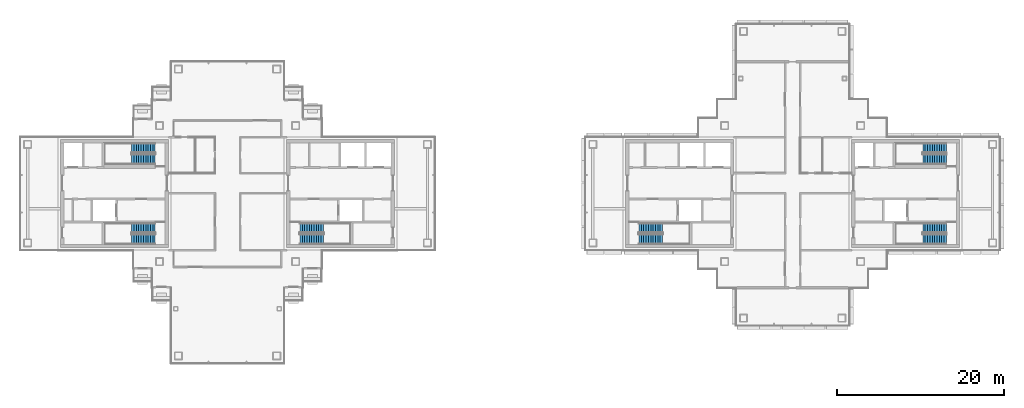
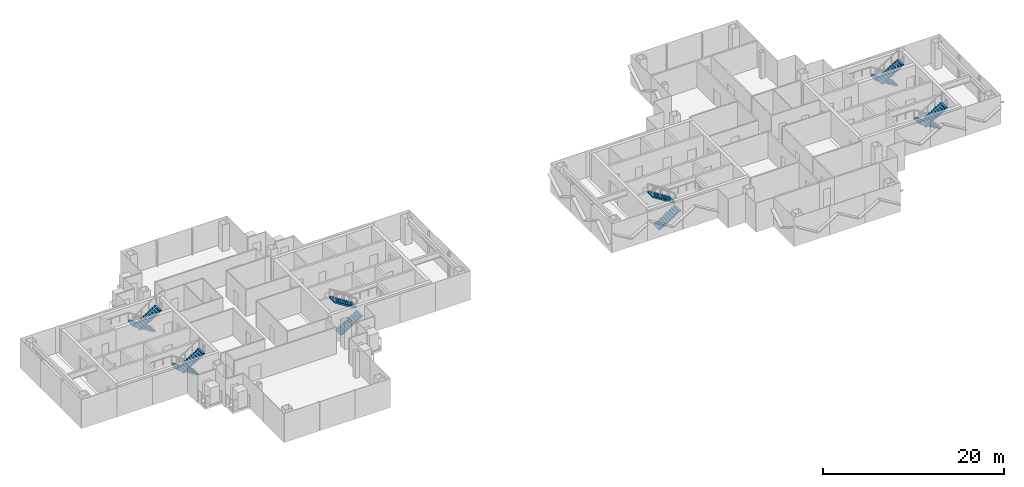
# One storey, part 13 of 17: 12 stair flights, 6 elements without a shape of their own.
"""IFC4 building model written with IfcOpenShell, lengths in metres."""

from ifc_helpers import new_model, si_unit, direction, frame, origin, place, context, subcontext, project, spatial, polyline, outline, extrude, material, type_object, element, aggregate, save


model = new_model("IFC4")

# Units and contexts
model_context = context("Model", 3, precision=1e-05, world=origin(), true_north=direction((0.0, 1.0)))
body_context = subcontext(model_context, "Body", "Model", "MODEL_VIEW")
ifc_project = project(units=[si_unit("LENGTHUNIT", "METRE"), si_unit("AREAUNIT", "SQUARE_METRE"), si_unit("VOLUMEUNIT", "CUBIC_METRE"), si_unit("PLANEANGLEUNIT", "RADIAN"), si_unit("MASSUNIT", "GRAM", prefix="KILO")], contexts=[model_context])

# Site, building, storey
site_placement = place(None, origin())
site = spatial("IfcSite", under=ifc_project, at=site_placement, CompositionType="ELEMENT")
building_placement = place(site_placement, origin())
building = spatial("IfcBuilding", under=site, at=building_placement, Name="Shamsa Quay Exchange Towers", CompositionType="ELEMENT")
storey_placement = place(building_placement, frame((0.0, 0.0, 253.800048828125)))
storey = spatial("IfcBuildingStorey", under=building, at=storey_placement, Name="L61", CompositionType="ELEMENT", Elevation=253.800048828125)

# Stair, stair flights
ifc_material = material(Name="Concrete C40/50", Category="concrete")
stair_type = type_object("IfcStairType", Name="EXIT STAIR 22 RISERS 177 MM", PredefinedType="HALF_TURN_STAIR", material=ifc_material)
stair_1_placement = place(storey_placement, origin())
stair_1 = element("IfcStair", 1, at=stair_1_placement, inside=storey, type_object=stair_type, Name="L61 Exit stair ST1", PredefinedType="HALF_TURN_STAIR")
stair_flight_type = type_object("IfcStairFlightType", Name="EXIT STAIR FLIGHT 11 RISERS 177 MM", PredefinedType="STRAIGHT", material=ifc_material)
stair_flight_1_placement = place(storey_placement, frame((-25.10009765625, -5.449951171875, 0.0)))
stair_flight_1 = element("IfcStairFlight", 2, at=stair_flight_1_placement, type_object=stair_flight_type, Name="ST1 flight 1", NumberOfRisers=11, NumberOfTreads=10, PredefinedType="STRAIGHT", RiserHeight=0.177272727, TreadLength=0.28, context=body_context, shape_type="SweptSolid", body=[
    extrude(outline(polyline([(0.0, 0.0), (0.0, 0.17724609375), (0.280029296875, 0.17724609375), (0.280029296875, 0.3544921875), (0.56005859375, 0.3544921875), (0.56005859375, 0.53173828125), (0.840087890625, 0.53173828125), (0.840087890625, 0.708984375), (1.1201171875, 0.708984375), (1.1201171875, 0.886474609375), (1.39990234375, 0.886474609375), (1.39990234375, 1.063720703125), (1.679931640625, 1.063720703125), (1.679931640625, 1.240966796875), (1.9599609375, 1.240966796875), (1.9599609375, 1.418212890625), (2.239990234375, 1.418212890625), (2.239990234375, 1.595458984375), (2.52001953125, 1.595458984375), (2.52001953125, 1.772705078125), (2.800048828125, 1.772705078125), (2.800048828125, 1.949951171875), (2.800048828125, 1.607177734375), (0.261474609375, 0.0), (0.0, 0.0)])), frame((0.0, 0.60009765625, 0.0), z_axis=(0.0, -1.0, 0.0), x_axis=(1.0, 0.0, 0.0)), (0.0, 0.0, 1.0), 1.199951171875),
])
stair_flight_2_placement = place(storey_placement, frame((-22.300048828125, -4.10009765625, 1.949951171875), z_axis=(0.0, 0.0, 1.0), x_axis=(-1.0, 0.0, 0.0)))
stair_flight_2 = element("IfcStairFlight", 3, at=stair_flight_2_placement, type_object=stair_flight_type, Name="ST1 flight 2", NumberOfRisers=11, NumberOfTreads=10, PredefinedType="STRAIGHT", RiserHeight=0.177272727, TreadLength=0.28, context=body_context, shape_type="SweptSolid", body=[
    extrude(outline(polyline([(0.0, 0.0), (0.0, 0.17724609375), (0.280029296875, 0.17724609375), (0.280029296875, 0.3544921875), (0.56005859375, 0.3544921875), (0.56005859375, 0.53173828125), (0.840087890625, 0.53173828125), (0.840087890625, 0.708984375), (1.1201171875, 0.708984375), (1.1201171875, 0.886474609375), (1.39990234375, 0.886474609375), (1.39990234375, 1.063720703125), (1.679931640625, 1.063720703125), (1.679931640625, 1.240966796875), (1.9599609375, 1.240966796875), (1.9599609375, 1.418212890625), (2.239990234375, 1.418212890625), (2.239990234375, 1.595458984375), (2.52001953125, 1.595458984375), (2.52001953125, 1.772705078125), (2.800048828125, 1.772705078125), (2.800048828125, 1.949951171875), (2.800048828125, 1.607177734375), (0.261474609375, 0.0), (0.0, 0.0)])), frame((0.0, 0.60009765625, 0.0), z_axis=(0.0, -1.0, 0.0), x_axis=(1.0, 0.0, 0.0)), (0.0, 0.0, 1.0), 1.199951171875),
])
aggregate(stair_1, [stair_flight_1, stair_flight_2])

stair_2_placement = place(storey_placement, origin())
stair_2 = element("IfcStair", 4, at=stair_2_placement, inside=storey, type_object=stair_type, Name="L61 Exit stair ST2", PredefinedType="HALF_TURN_STAIR")
stair_flight_3_placement = place(storey_placement, frame((-42.39990234375, -4.10009765625, 0.0), z_axis=(0.0, 0.0, 1.0), x_axis=(-1.0, 0.0, 0.0)))
stair_flight_3 = element("IfcStairFlight", 5, at=stair_flight_3_placement, type_object=stair_flight_type, Name="ST2 flight 1", NumberOfRisers=11, NumberOfTreads=10, PredefinedType="STRAIGHT", RiserHeight=0.177272727, TreadLength=0.28, context=body_context, shape_type="SweptSolid", body=[
    extrude(outline(polyline([(0.0, 0.0), (0.0, 0.17724609375), (0.280029296875, 0.17724609375), (0.280029296875, 0.3544921875), (0.56005859375, 0.3544921875), (0.56005859375, 0.53173828125), (0.840087890625, 0.53173828125), (0.840087890625, 0.708984375), (1.1201171875, 0.708984375), (1.1201171875, 0.886474609375), (1.39990234375, 0.886474609375), (1.39990234375, 1.063720703125), (1.679931640625, 1.063720703125), (1.679931640625, 1.240966796875), (1.9599609375, 1.240966796875), (1.9599609375, 1.418212890625), (2.239990234375, 1.418212890625), (2.239990234375, 1.595458984375), (2.52001953125, 1.595458984375), (2.52001953125, 1.772705078125), (2.800048828125, 1.772705078125), (2.800048828125, 1.949951171875), (2.800048828125, 1.607177734375), (0.261474609375, 0.0), (0.0, 0.0)])), frame((0.0, 0.60009765625, 0.0), z_axis=(0.0, -1.0, 0.0), x_axis=(1.0, 0.0, 0.0)), (0.0, 0.0, 1.0), 1.199951171875),
])
stair_flight_4_placement = place(storey_placement, frame((-45.199951171875, -5.449951171875, 1.949951171875)))
stair_flight_4 = element("IfcStairFlight", 6, at=stair_flight_4_placement, type_object=stair_flight_type, Name="ST2 flight 2", NumberOfRisers=11, NumberOfTreads=10, PredefinedType="STRAIGHT", RiserHeight=0.177272727, TreadLength=0.28, context=body_context, shape_type="SweptSolid", body=[
    extrude(outline(polyline([(0.0, 0.0), (0.0, 0.17724609375), (0.280029296875, 0.17724609375), (0.280029296875, 0.3544921875), (0.56005859375, 0.3544921875), (0.56005859375, 0.53173828125), (0.840087890625, 0.53173828125), (0.840087890625, 0.708984375), (1.1201171875, 0.708984375), (1.1201171875, 0.886474609375), (1.39990234375, 0.886474609375), (1.39990234375, 1.063720703125), (1.679931640625, 1.063720703125), (1.679931640625, 1.240966796875), (1.9599609375, 1.240966796875), (1.9599609375, 1.418212890625), (2.239990234375, 1.418212890625), (2.239990234375, 1.595458984375), (2.52001953125, 1.595458984375), (2.52001953125, 1.772705078125), (2.800048828125, 1.772705078125), (2.800048828125, 1.949951171875), (2.800048828125, 1.607177734375), (0.261474609375, 0.0), (0.0, 0.0)])), frame((0.0, 0.60009765625, 0.0), z_axis=(0.0, -1.0, 0.0), x_axis=(1.0, 0.0, 0.0)), (0.0, 0.0, 1.0), 1.199951171875),
])
aggregate(stair_2, [stair_flight_3, stair_flight_4])

stair_3_placement = place(storey_placement, origin())
stair_3 = element("IfcStair", 7, at=stair_3_placement, inside=storey, type_object=stair_type, Name="L61 Exit stair ST3", PredefinedType="HALF_TURN_STAIR")
stair_flight_5_placement = place(storey_placement, frame((-42.39990234375, 5.449951171875, 0.0), z_axis=(0.0, 0.0, 1.0), x_axis=(-1.0, 0.0, 0.0)))
stair_flight_5 = element("IfcStairFlight", 8, at=stair_flight_5_placement, type_object=stair_flight_type, Name="ST3 flight 1", NumberOfRisers=11, NumberOfTreads=10, PredefinedType="STRAIGHT", RiserHeight=0.177272727, TreadLength=0.28, context=body_context, shape_type="SweptSolid", body=[
    extrude(outline(polyline([(0.0, 0.0), (0.0, 0.17724609375), (0.280029296875, 0.17724609375), (0.280029296875, 0.3544921875), (0.56005859375, 0.3544921875), (0.56005859375, 0.53173828125), (0.840087890625, 0.53173828125), (0.840087890625, 0.708984375), (1.1201171875, 0.708984375), (1.1201171875, 0.886474609375), (1.39990234375, 0.886474609375), (1.39990234375, 1.063720703125), (1.679931640625, 1.063720703125), (1.679931640625, 1.240966796875), (1.9599609375, 1.240966796875), (1.9599609375, 1.418212890625), (2.239990234375, 1.418212890625), (2.239990234375, 1.595458984375), (2.52001953125, 1.595458984375), (2.52001953125, 1.772705078125), (2.800048828125, 1.772705078125), (2.800048828125, 1.949951171875), (2.800048828125, 1.607177734375), (0.261474609375, 0.0), (0.0, 0.0)])), frame((0.0, 0.60009765625, 0.0), z_axis=(0.0, -1.0, 0.0), x_axis=(1.0, 0.0, 0.0)), (0.0, 0.0, 1.0), 1.199951171875),
])
stair_flight_6_placement = place(storey_placement, frame((-45.199951171875, 4.10009765625, 1.949951171875)))
stair_flight_6 = element("IfcStairFlight", 9, at=stair_flight_6_placement, type_object=stair_flight_type, Name="ST3 flight 2", NumberOfRisers=11, NumberOfTreads=10, PredefinedType="STRAIGHT", RiserHeight=0.177272727, TreadLength=0.28, context=body_context, shape_type="SweptSolid", body=[
    extrude(outline(polyline([(0.0, 0.0), (0.0, 0.17724609375), (0.280029296875, 0.17724609375), (0.280029296875, 0.3544921875), (0.56005859375, 0.3544921875), (0.56005859375, 0.53173828125), (0.840087890625, 0.53173828125), (0.840087890625, 0.708984375), (1.1201171875, 0.708984375), (1.1201171875, 0.886474609375), (1.39990234375, 0.886474609375), (1.39990234375, 1.063720703125), (1.679931640625, 1.063720703125), (1.679931640625, 1.240966796875), (1.9599609375, 1.240966796875), (1.9599609375, 1.418212890625), (2.239990234375, 1.418212890625), (2.239990234375, 1.595458984375), (2.52001953125, 1.595458984375), (2.52001953125, 1.772705078125), (2.800048828125, 1.772705078125), (2.800048828125, 1.949951171875), (2.800048828125, 1.607177734375), (0.261474609375, 0.0), (0.0, 0.0)])), frame((0.0, 0.60009765625, 0.0), z_axis=(0.0, -1.0, 0.0), x_axis=(1.0, 0.0, 0.0)), (0.0, 0.0, 1.0), 1.199951171875),
])
aggregate(stair_3, [stair_flight_5, stair_flight_6])

stair_4_placement = place(storey_placement, origin())
stair_4 = element("IfcStair", 10, at=stair_4_placement, inside=storey, type_object=stair_type, Name="L61 Exit stair ST4", PredefinedType="HALF_TURN_STAIR")
stair_flight_7_placement = place(storey_placement, frame((15.39990234375, -5.449951171875, 0.0)))
stair_flight_7 = element("IfcStairFlight", 11, at=stair_flight_7_placement, type_object=stair_flight_type, Name="ST4 flight 1", NumberOfRisers=11, NumberOfTreads=10, PredefinedType="STRAIGHT", RiserHeight=0.177272727, TreadLength=0.28, context=body_context, shape_type="SweptSolid", body=[
    extrude(outline(polyline([(0.0, 0.0), (0.0, 0.17724609375), (0.280029296875, 0.17724609375), (0.280029296875, 0.3544921875), (0.56005859375, 0.3544921875), (0.56005859375, 0.53173828125), (0.840087890625, 0.53173828125), (0.840087890625, 0.708984375), (1.1201171875, 0.708984375), (1.1201171875, 0.886474609375), (1.39990234375, 0.886474609375), (1.39990234375, 1.063720703125), (1.679931640625, 1.063720703125), (1.679931640625, 1.240966796875), (1.9599609375, 1.240966796875), (1.9599609375, 1.418212890625), (2.239990234375, 1.418212890625), (2.239990234375, 1.595458984375), (2.52001953125, 1.595458984375), (2.52001953125, 1.772705078125), (2.800048828125, 1.772705078125), (2.800048828125, 1.949951171875), (2.800048828125, 1.607177734375), (0.261474609375, 0.0), (0.0, 0.0)])), frame((0.0, 0.60009765625, 0.0), z_axis=(0.0, -1.0, 0.0), x_axis=(1.0, 0.0, 0.0)), (0.0, 0.0, 1.0), 1.199951171875),
])
stair_flight_8_placement = place(storey_placement, frame((18.199951171875, -4.10009765625, 1.949951171875), z_axis=(0.0, 0.0, 1.0), x_axis=(-1.0, 0.0, 0.0)))
stair_flight_8 = element("IfcStairFlight", 12, at=stair_flight_8_placement, type_object=stair_flight_type, Name="ST4 flight 2", NumberOfRisers=11, NumberOfTreads=10, PredefinedType="STRAIGHT", RiserHeight=0.177272727, TreadLength=0.28, context=body_context, shape_type="SweptSolid", body=[
    extrude(outline(polyline([(0.0, 0.0), (0.0, 0.17724609375), (0.280029296875, 0.17724609375), (0.280029296875, 0.3544921875), (0.56005859375, 0.3544921875), (0.56005859375, 0.53173828125), (0.840087890625, 0.53173828125), (0.840087890625, 0.708984375), (1.1201171875, 0.708984375), (1.1201171875, 0.886474609375), (1.39990234375, 0.886474609375), (1.39990234375, 1.063720703125), (1.679931640625, 1.063720703125), (1.679931640625, 1.240966796875), (1.9599609375, 1.240966796875), (1.9599609375, 1.418212890625), (2.239990234375, 1.418212890625), (2.239990234375, 1.595458984375), (2.52001953125, 1.595458984375), (2.52001953125, 1.772705078125), (2.800048828125, 1.772705078125), (2.800048828125, 1.949951171875), (2.800048828125, 1.607177734375), (0.261474609375, 0.0), (0.0, 0.0)])), frame((0.0, 0.60009765625, 0.0), z_axis=(0.0, -1.0, 0.0), x_axis=(1.0, 0.0, 0.0)), (0.0, 0.0, 1.0), 1.199951171875),
])
aggregate(stair_4, [stair_flight_7, stair_flight_8])

stair_5_placement = place(storey_placement, origin())
stair_5 = element("IfcStair", 13, at=stair_5_placement, inside=storey, type_object=stair_type, Name="L61 Exit stair ST5", PredefinedType="HALF_TURN_STAIR")
stair_flight_9_placement = place(storey_placement, frame((52.10009765625, -4.10009765625, 0.0), z_axis=(0.0, 0.0, 1.0), x_axis=(-1.0, 0.0, 0.0)))
stair_flight_9 = element("IfcStairFlight", 14, at=stair_flight_9_placement, type_object=stair_flight_type, Name="ST5 flight 1", NumberOfRisers=11, NumberOfTreads=10, PredefinedType="STRAIGHT", RiserHeight=0.177272727, TreadLength=0.28, context=body_context, shape_type="SweptSolid", body=[
    extrude(outline(polyline([(0.0, 0.0), (0.0, 0.17724609375), (0.280029296875, 0.17724609375), (0.280029296875, 0.3544921875), (0.56005859375, 0.3544921875), (0.56005859375, 0.53173828125), (0.840087890625, 0.53173828125), (0.840087890625, 0.708984375), (1.1201171875, 0.708984375), (1.1201171875, 0.886474609375), (1.39990234375, 0.886474609375), (1.39990234375, 1.063720703125), (1.679931640625, 1.063720703125), (1.679931640625, 1.240966796875), (1.9599609375, 1.240966796875), (1.9599609375, 1.418212890625), (2.239990234375, 1.418212890625), (2.239990234375, 1.595458984375), (2.52001953125, 1.595458984375), (2.52001953125, 1.772705078125), (2.800048828125, 1.772705078125), (2.800048828125, 1.949951171875), (2.800048828125, 1.607177734375), (0.261474609375, 0.0), (0.0, 0.0)])), frame((0.0, 0.60009765625, 0.0), z_axis=(0.0, -1.0, 0.0), x_axis=(1.0, 0.0, 0.0)), (0.0, 0.0, 1.0), 1.199951171875),
])
stair_flight_10_placement = place(storey_placement, frame((49.300048828125, -5.449951171875, 1.949951171875)))
stair_flight_10 = element("IfcStairFlight", 15, at=stair_flight_10_placement, type_object=stair_flight_type, Name="ST5 flight 2", NumberOfRisers=11, NumberOfTreads=10, PredefinedType="STRAIGHT", RiserHeight=0.177272727, TreadLength=0.28, context=body_context, shape_type="SweptSolid", body=[
    extrude(outline(polyline([(0.0, 0.0), (0.0, 0.17724609375), (0.280029296875, 0.17724609375), (0.280029296875, 0.3544921875), (0.56005859375, 0.3544921875), (0.56005859375, 0.53173828125), (0.840087890625, 0.53173828125), (0.840087890625, 0.708984375), (1.1201171875, 0.708984375), (1.1201171875, 0.886474609375), (1.39990234375, 0.886474609375), (1.39990234375, 1.063720703125), (1.679931640625, 1.063720703125), (1.679931640625, 1.240966796875), (1.9599609375, 1.240966796875), (1.9599609375, 1.418212890625), (2.239990234375, 1.418212890625), (2.239990234375, 1.595458984375), (2.52001953125, 1.595458984375), (2.52001953125, 1.772705078125), (2.800048828125, 1.772705078125), (2.800048828125, 1.949951171875), (2.800048828125, 1.607177734375), (0.261474609375, 0.0), (0.0, 0.0)])), frame((0.0, 0.60009765625, 0.0), z_axis=(0.0, -1.0, 0.0), x_axis=(1.0, 0.0, 0.0)), (0.0, 0.0, 1.0), 1.199951171875),
])
aggregate(stair_5, [stair_flight_9, stair_flight_10])

stair_6_placement = place(storey_placement, origin())
stair_6 = element("IfcStair", 16, at=stair_6_placement, inside=storey, type_object=stair_type, Name="L61 Exit stair ST6", PredefinedType="HALF_TURN_STAIR")
stair_flight_11_placement = place(storey_placement, frame((52.10009765625, 5.449951171875, 0.0), z_axis=(0.0, 0.0, 1.0), x_axis=(-1.0, 0.0, 0.0)))
stair_flight_11 = element("IfcStairFlight", 17, at=stair_flight_11_placement, type_object=stair_flight_type, Name="ST6 flight 1", NumberOfRisers=11, NumberOfTreads=10, PredefinedType="STRAIGHT", RiserHeight=0.177272727, TreadLength=0.28, context=body_context, shape_type="SweptSolid", body=[
    extrude(outline(polyline([(0.0, 0.0), (0.0, 0.17724609375), (0.280029296875, 0.17724609375), (0.280029296875, 0.3544921875), (0.56005859375, 0.3544921875), (0.56005859375, 0.53173828125), (0.840087890625, 0.53173828125), (0.840087890625, 0.708984375), (1.1201171875, 0.708984375), (1.1201171875, 0.886474609375), (1.39990234375, 0.886474609375), (1.39990234375, 1.063720703125), (1.679931640625, 1.063720703125), (1.679931640625, 1.240966796875), (1.9599609375, 1.240966796875), (1.9599609375, 1.418212890625), (2.239990234375, 1.418212890625), (2.239990234375, 1.595458984375), (2.52001953125, 1.595458984375), (2.52001953125, 1.772705078125), (2.800048828125, 1.772705078125), (2.800048828125, 1.949951171875), (2.800048828125, 1.607177734375), (0.261474609375, 0.0), (0.0, 0.0)])), frame((0.0, 0.60009765625, 0.0), z_axis=(0.0, -1.0, 0.0), x_axis=(1.0, 0.0, 0.0)), (0.0, 0.0, 1.0), 1.199951171875),
])
stair_flight_12_placement = place(storey_placement, frame((49.300048828125, 4.10009765625, 1.949951171875)))
stair_flight_12 = element("IfcStairFlight", 18, at=stair_flight_12_placement, type_object=stair_flight_type, Name="ST6 flight 2", NumberOfRisers=11, NumberOfTreads=10, PredefinedType="STRAIGHT", RiserHeight=0.177272727, TreadLength=0.28, context=body_context, shape_type="SweptSolid", body=[
    extrude(outline(polyline([(0.0, 0.0), (0.0, 0.17724609375), (0.280029296875, 0.17724609375), (0.280029296875, 0.3544921875), (0.56005859375, 0.3544921875), (0.56005859375, 0.53173828125), (0.840087890625, 0.53173828125), (0.840087890625, 0.708984375), (1.1201171875, 0.708984375), (1.1201171875, 0.886474609375), (1.39990234375, 0.886474609375), (1.39990234375, 1.063720703125), (1.679931640625, 1.063720703125), (1.679931640625, 1.240966796875), (1.9599609375, 1.240966796875), (1.9599609375, 1.418212890625), (2.239990234375, 1.418212890625), (2.239990234375, 1.595458984375), (2.52001953125, 1.595458984375), (2.52001953125, 1.772705078125), (2.800048828125, 1.772705078125), (2.800048828125, 1.949951171875), (2.800048828125, 1.607177734375), (0.261474609375, 0.0), (0.0, 0.0)])), frame((0.0, 0.60009765625, 0.0), z_axis=(0.0, -1.0, 0.0), x_axis=(1.0, 0.0, 0.0)), (0.0, 0.0, 1.0), 1.199951171875),
])
aggregate(stair_6, [stair_flight_11, stair_flight_12])

save(model, "model.ifc")
